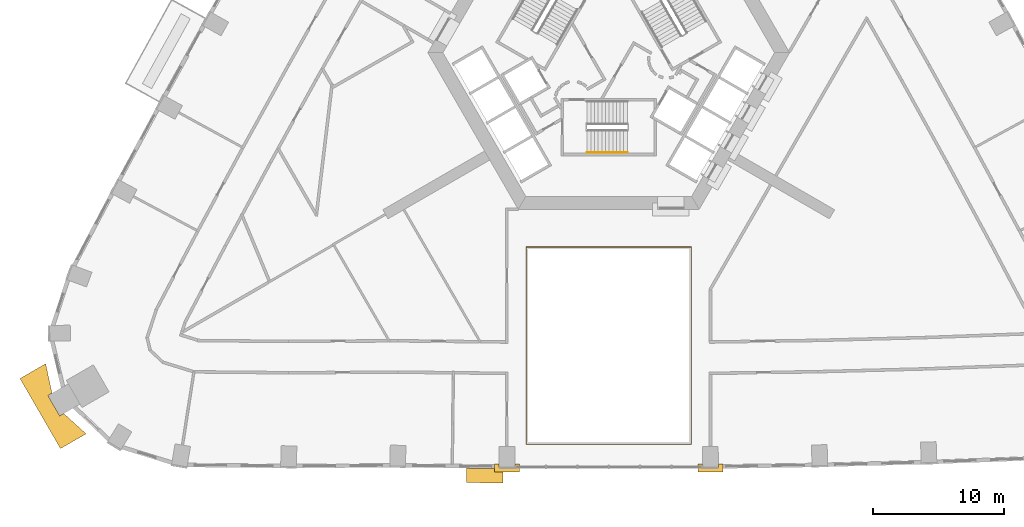
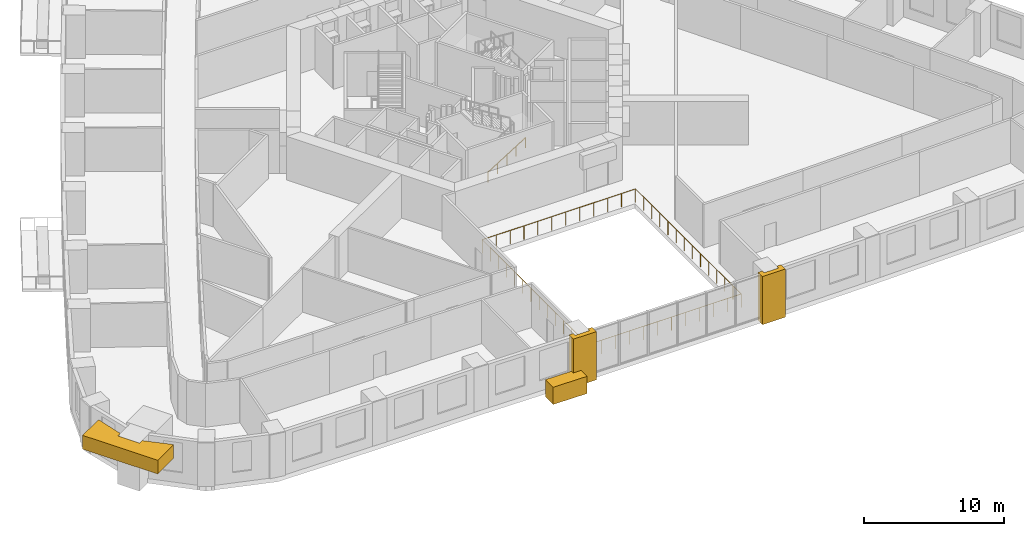
# One storey, part 13 of 16: 4 coverings, 2 railings.
"""IFC4 building model written with IfcOpenShell, lengths in metres."""

from ifc_helpers import new_model, si_unit, direction, frame, origin, origin_2d, place, context, subcontext, project, spatial, polyline, circle, outline, extrude, material, type_object, element, save


model = new_model("IFC4")

# Units and contexts
model_context = context("Model", 3, precision=1e-05, world=origin(), true_north=direction((0.0, 1.0)))
body_context = subcontext(model_context, "Body", "Model", "MODEL_VIEW")
ifc_project = project(units=[si_unit("LENGTHUNIT", "METRE"), si_unit("AREAUNIT", "SQUARE_METRE"), si_unit("VOLUMEUNIT", "CUBIC_METRE"), si_unit("PLANEANGLEUNIT", "RADIAN"), si_unit("MASSUNIT", "GRAM", prefix="KILO")], contexts=[model_context])

# Site, building, storey
site_placement = place(None, origin())
site = spatial("IfcSite", under=ifc_project, at=site_placement, CompositionType="ELEMENT")
building_placement = place(site_placement, origin())
building = spatial("IfcBuilding", under=site, at=building_placement, Name="Entoto Arch Interchange Tower", CompositionType="ELEMENT")
storey_placement = place(building_placement, frame((0.0, 0.0, 68.60009765625)))
storey = spatial("IfcBuildingStorey", under=building, at=storey_placement, Name="L14", CompositionType="ELEMENT", Elevation=68.60009765625)

# Railing
ifc_material_1 = material(Name="Stainless steel 1.4301", Category="steel")
railing_type_1 = type_object("IfcRailingType", Name="ATRIUM GUARD 1200 STEEL AND GLASS", PredefinedType="GUARDRAIL", material=ifc_material_1)
railing_1_placement = place(storey_placement, frame((6.320068359375, -27.48095703125, 0.0)))
element("IfcRailing", 1, at=railing_1_placement, inside=storey, type_object=railing_type_1, Name="Atrium guard L14", PredefinedType="GUARDRAIL", context=body_context, shape_type="SweptSolid", body=[
    extrude(circle(Radius=0.02392578125, at=origin_2d()), frame((0.0, 0.0, 1.17578125), z_axis=(-1.0, 0.0, 0.0), x_axis=(0.0, -1.0, 0.0)), (0.0, 0.0, 1.0), 12.64013671875),
    extrude(circle(Radius=0.02392578125, at=origin_2d()), frame((-12.64013671875, 0.0, 1.17578125), z_axis=(0.0, 1.0, 0.0), x_axis=(-1.0, 0.0, 0.0)), (0.0, 0.0, 1.0), 15.10107421875),
    extrude(circle(Radius=0.02392578125, at=origin_2d()), frame((-12.64013671875, 15.10107421875, 1.17578125), z_axis=(1.0, 0.0, 0.0), x_axis=(0.0, 1.0, 0.0)), (0.0, 0.0, 1.0), 12.64013671875),
    extrude(circle(Radius=0.02392578125, at=origin_2d()), frame((0.0, 15.10107421875, 1.17578125), z_axis=(0.0, -1.0, 0.0), x_axis=(1.0, 0.0, 0.0)), (0.0, 0.0, 1.0), 15.10107421875),
    extrude(circle(Radius=0.02099609375, at=origin_2d()), origin(), (0.0, 0.0, 1.0), 1.15185546875),
    extrude(circle(Radius=0.02099609375, at=origin_2d()), frame((-1.149169921875, 0.0, 0.0)), (0.0, 0.0, 1.0), 1.15185546875),
    extrude(circle(Radius=0.02099609375, at=origin_2d()), frame((-2.298095703125, 0.0, 0.0)), (0.0, 0.0, 1.0), 1.15185546875),
    extrude(circle(Radius=0.02099609375, at=origin_2d()), frame((-3.447265625, 0.0, 0.0)), (0.0, 0.0, 1.0), 1.15185546875),
    extrude(circle(Radius=0.02099609375, at=origin_2d()), frame((-4.596435546875, 0.0, 0.0)), (0.0, 0.0, 1.0), 1.15185546875),
    extrude(circle(Radius=0.02099609375, at=origin_2d()), frame((-5.74560546875, 0.0, 0.0)), (0.0, 0.0, 1.0), 1.15185546875),
    extrude(circle(Radius=0.02099609375, at=origin_2d()), frame((-6.89453125, 0.0, 0.0)), (0.0, 0.0, 1.0), 1.15185546875),
    extrude(circle(Radius=0.02099609375, at=origin_2d()), frame((-8.043701171875, 0.0, 0.0)), (0.0, 0.0, 1.0), 1.15185546875),
    extrude(circle(Radius=0.02099609375, at=origin_2d()), frame((-9.19287109375, 0.0, 0.0)), (0.0, 0.0, 1.0), 1.15185546875),
    extrude(circle(Radius=0.02099609375, at=origin_2d()), frame((-10.342041015625, 0.0, 0.0)), (0.0, 0.0, 1.0), 1.15185546875),
    extrude(circle(Radius=0.02099609375, at=origin_2d()), frame((-11.490966796875, 0.0, 0.0)), (0.0, 0.0, 1.0), 1.15185546875),
    extrude(circle(Radius=0.02099609375, at=origin_2d()), frame((-12.64013671875, 0.0, 0.0)), (0.0, 0.0, 1.0), 1.15185546875),
    extrude(circle(Radius=0.02099609375, at=origin_2d()), frame((-12.64013671875, 1.16162109375, 0.0)), (0.0, 0.0, 1.0), 1.15185546875),
    extrude(circle(Radius=0.02099609375, at=origin_2d()), frame((-12.64013671875, 2.3232421875, 0.0)), (0.0, 0.0, 1.0), 1.15185546875),
    extrude(circle(Radius=0.02099609375, at=origin_2d()), frame((-12.64013671875, 3.48486328125, 0.0)), (0.0, 0.0, 1.0), 1.15185546875),
    extrude(circle(Radius=0.02099609375, at=origin_2d()), frame((-12.64013671875, 4.646484375, 0.0)), (0.0, 0.0, 1.0), 1.15185546875),
    extrude(circle(Radius=0.02099609375, at=origin_2d()), frame((-12.64013671875, 5.80810546875, 0.0)), (0.0, 0.0, 1.0), 1.15185546875),
    extrude(circle(Radius=0.02099609375, at=origin_2d()), frame((-12.64013671875, 6.9697265625, 0.0)), (0.0, 0.0, 1.0), 1.15185546875),
    extrude(circle(Radius=0.02099609375, at=origin_2d()), frame((-12.64013671875, 8.13134765625, 0.0)), (0.0, 0.0, 1.0), 1.15185546875),
    extrude(circle(Radius=0.02099609375, at=origin_2d()), frame((-12.64013671875, 9.29296875, 0.0)), (0.0, 0.0, 1.0), 1.15185546875),
    extrude(circle(Radius=0.02099609375, at=origin_2d()), frame((-12.64013671875, 10.45458984375, 0.0)), (0.0, 0.0, 1.0), 1.15185546875),
    extrude(circle(Radius=0.02099609375, at=origin_2d()), frame((-12.64013671875, 11.6162109375, 0.0)), (0.0, 0.0, 1.0), 1.15185546875),
    extrude(circle(Radius=0.02099609375, at=origin_2d()), frame((-12.64013671875, 12.77783203125, 0.0)), (0.0, 0.0, 1.0), 1.15185546875),
    extrude(circle(Radius=0.02099609375, at=origin_2d()), frame((-12.64013671875, 13.939453125, 0.0)), (0.0, 0.0, 1.0), 1.15185546875),
    extrude(circle(Radius=0.02099609375, at=origin_2d()), frame((-12.64013671875, 15.10107421875, 0.0)), (0.0, 0.0, 1.0), 1.15185546875),
    extrude(circle(Radius=0.02099609375, at=origin_2d()), frame((-11.490966796875, 15.10107421875, 0.0)), (0.0, 0.0, 1.0), 1.15185546875),
    extrude(circle(Radius=0.02099609375, at=origin_2d()), frame((-10.342041015625, 15.10107421875, 0.0)), (0.0, 0.0, 1.0), 1.15185546875),
    extrude(circle(Radius=0.02099609375, at=origin_2d()), frame((-9.19287109375, 15.10107421875, 0.0)), (0.0, 0.0, 1.0), 1.15185546875),
    extrude(circle(Radius=0.02099609375, at=origin_2d()), frame((-8.043701171875, 15.10107421875, 0.0)), (0.0, 0.0, 1.0), 1.15185546875),
    extrude(circle(Radius=0.02099609375, at=origin_2d()), frame((-6.89453125, 15.10107421875, 0.0)), (0.0, 0.0, 1.0), 1.15185546875),
    extrude(circle(Radius=0.02099609375, at=origin_2d()), frame((-5.74560546875, 15.10107421875, 0.0)), (0.0, 0.0, 1.0), 1.15185546875),
    extrude(circle(Radius=0.02099609375, at=origin_2d()), frame((-4.596435546875, 15.10107421875, 0.0)), (0.0, 0.0, 1.0), 1.15185546875),
    extrude(circle(Radius=0.02099609375, at=origin_2d()), frame((-3.447265625, 15.10107421875, 0.0)), (0.0, 0.0, 1.0), 1.15185546875),
    extrude(circle(Radius=0.02099609375, at=origin_2d()), frame((-2.298095703125, 15.10107421875, 0.0)), (0.0, 0.0, 1.0), 1.15185546875),
    extrude(circle(Radius=0.02099609375, at=origin_2d()), frame((-1.149169921875, 15.10107421875, 0.0)), (0.0, 0.0, 1.0), 1.15185546875),
    extrude(circle(Radius=0.02099609375, at=origin_2d()), frame((0.0, 15.10107421875, 0.0)), (0.0, 0.0, 1.0), 1.15185546875),
    extrude(circle(Radius=0.02099609375, at=origin_2d()), frame((0.0, 13.939453125, 0.0)), (0.0, 0.0, 1.0), 1.15185546875),
    extrude(circle(Radius=0.02099609375, at=origin_2d()), frame((0.0, 12.77783203125, 0.0)), (0.0, 0.0, 1.0), 1.15185546875),
    extrude(circle(Radius=0.02099609375, at=origin_2d()), frame((0.0, 11.6162109375, 0.0)), (0.0, 0.0, 1.0), 1.15185546875),
    extrude(circle(Radius=0.02099609375, at=origin_2d()), frame((0.0, 10.45458984375, 0.0)), (0.0, 0.0, 1.0), 1.15185546875),
    extrude(circle(Radius=0.02099609375, at=origin_2d()), frame((0.0, 9.29296875, 0.0)), (0.0, 0.0, 1.0), 1.15185546875),
    extrude(circle(Radius=0.02099609375, at=origin_2d()), frame((0.0, 8.13134765625, 0.0)), (0.0, 0.0, 1.0), 1.15185546875),
    extrude(circle(Radius=0.02099609375, at=origin_2d()), frame((0.0, 6.9697265625, 0.0)), (0.0, 0.0, 1.0), 1.15185546875),
    extrude(circle(Radius=0.02099609375, at=origin_2d()), frame((0.0, 5.80810546875, 0.0)), (0.0, 0.0, 1.0), 1.15185546875),
    extrude(circle(Radius=0.02099609375, at=origin_2d()), frame((0.0, 4.646484375, 0.0)), (0.0, 0.0, 1.0), 1.15185546875),
    extrude(circle(Radius=0.02099609375, at=origin_2d()), frame((0.0, 3.48486328125, 0.0)), (0.0, 0.0, 1.0), 1.15185546875),
    extrude(circle(Radius=0.02099609375, at=origin_2d()), frame((0.0, 2.3232421875, 0.0)), (0.0, 0.0, 1.0), 1.15185546875),
    extrude(circle(Radius=0.02099609375, at=origin_2d()), frame((0.0, 1.16162109375, 0.0)), (0.0, 0.0, 1.0), 1.15185546875),
])

# Coverings
ifc_material_2 = material(Name="Board-marked precast concrete C50/60", Category="concrete")
covering_type = type_object("IfcCoveringType", Name="PRECAST FRAME COURSE", PredefinedType="CLADDING", material=ifc_material_2)
covering_1_placement = place(storey_placement, frame((0.0, 0.0, 2.599853515625)))
element("IfcCovering", 2, at=covering_1_placement, inside=storey, type_object=covering_type, Name="Corner pilaster head SW L12-L14", PredefinedType="CLADDING", context=body_context, shape_type="SweptSolid", body=[
    extrude(outline(polyline([(-41.99609375, -27.825927734375), (-45.095947265625, -22.4560546875), (-43.132080078125, -21.322021484375), (-42.64208984375, -23.580078125), (-42.9560546875, -23.761962890625), (-42.055908203125, -25.320068359375), (-41.741943359375, -25.138916015625), (-40.031982421875, -26.69189453125), (-41.99609375, -27.825927734375)])), origin(), (0.0, 0.0, 1.0), 1.199951171875),
])
covering_2_placement = place(storey_placement, frame((0.0, 0.0, -0.400146484375)))
element("IfcCovering", 3, at=covering_2_placement, inside=storey, type_object=covering_type, Name="Gate pier L14", PredefinedType="CLADDING", context=body_context, shape_type="SweptSolid", body=[
    extrude(outline(polyline([(-8.742919921875, -29.0009765625), (-8.39306640625, -29.0009765625), (-8.39306640625, -29.260986328125), (-7.193115234375, -29.260986328125), (-7.193115234375, -29.0009765625), (-6.843017578125, -29.0009765625), (-6.843017578125, -29.611083984375), (-8.742919921875, -29.611083984375), (-8.742919921875, -29.0009765625)])), origin(), (0.0, 0.0, 1.0), 4.199951171875),
])
covering_3_placement = place(storey_placement, frame((0.0, 0.0, -0.400146484375)))
element("IfcCovering", 4, at=covering_3_placement, inside=storey, type_object=covering_type, Name="Gate pier L14", PredefinedType="CLADDING", context=body_context, shape_type="SweptSolid", body=[
    extrude(outline(polyline([(6.843017578125, -29.0009765625), (7.193115234375, -29.0009765625), (7.193115234375, -29.260986328125), (8.39306640625, -29.260986328125), (8.39306640625, -29.0009765625), (8.742919921875, -29.0009765625), (8.742919921875, -29.611083984375), (6.843017578125, -29.611083984375), (6.843017578125, -29.0009765625)])), origin(), (0.0, 0.0, 1.0), 4.199951171875),
])
covering_4_placement = place(storey_placement, frame((0.0, 0.0, -0.650146484375)))
element("IfcCovering", 5, at=covering_4_placement, inside=storey, type_object=covering_type, Name="Fold crease ribbon L14", PredefinedType="CLADDING", context=body_context, shape_type="SweptSolid", body=[
    extrude(outline(polyline([(-8.408935546875, -30.4560546875), (-8.412109375, -30.4560546875), (-10.883056640625, -30.427978515625), (-10.883056640625, -29.326904296875), (-8.39990234375, -29.35400390625), (-8.39990234375, -29.35595703125), (-8.113037109375, -29.35791015625), (-8.113037109375, -30.4580078125), (-8.408935546875, -30.4560546875)])), origin(), (0.0, 0.0, 1.0), 1.5),
])

# Railing
railing_type_2 = type_object("IfcRailingType", Name="STAIR HANDRAIL 900 STEEL", PredefinedType="HANDRAIL", material=ifc_material_1)
railing_2_placement = place(storey_placement, frame((-1.64990234375, -5.14990234375, 0.1748046875)))
element("IfcRailing", 6, at=railing_2_placement, inside=storey, type_object=railing_type_2, Name="L14 ST-S stair handrail 1", PredefinedType="HANDRAIL", context=body_context, shape_type="SweptSolid", body=[
    extrude(circle(Radius=0.02392578125, at=origin_2d()), frame((0.0, 0.0, 0.8759765625), z_axis=(0.847979421464, 0.0, 0.530029150871), x_axis=(0.0, 1.0, 0.0)), (0.0, 0.0, 1.0), 3.632080078125),
    extrude(circle(Radius=0.02099609375, at=origin_2d()), origin(), (0.0, 0.0, 1.0), 0.851806640625),
    extrude(circle(Radius=0.02099609375, at=origin_2d()), frame((0.77001953125, 0.0, 0.481201171875)), (0.0, 0.0, 1.0), 0.851806640625),
    extrude(circle(Radius=0.02099609375, at=origin_2d()), frame((1.5400390625, 0.0, 0.96240234375)), (0.0, 0.0, 1.0), 0.851806640625),
    extrude(circle(Radius=0.02099609375, at=origin_2d()), frame((2.309814453125, 0.0, 1.44384765625)), (0.0, 0.0, 1.0), 0.851806640625),
    extrude(circle(Radius=0.02099609375, at=origin_2d()), frame((3.079833984375, 0.0, 1.925048828125)), (0.0, 0.0, 1.0), 0.851806640625),
])

save(model, "model.ifc")
